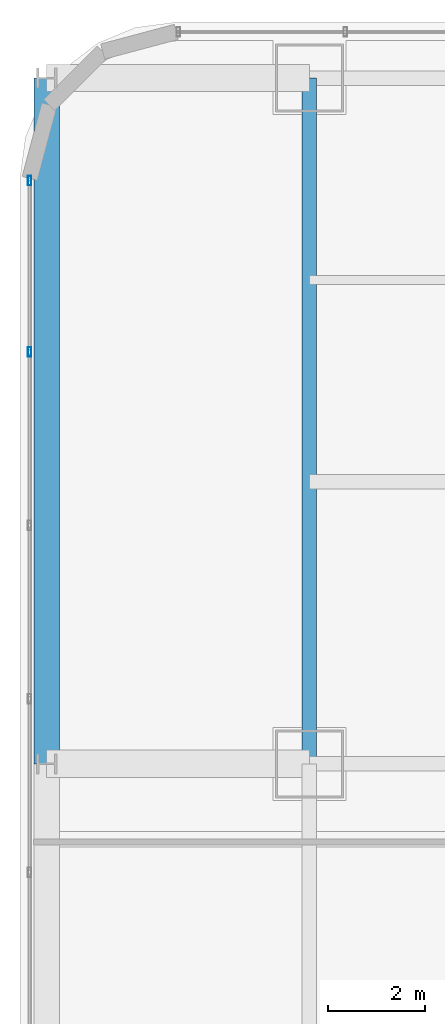
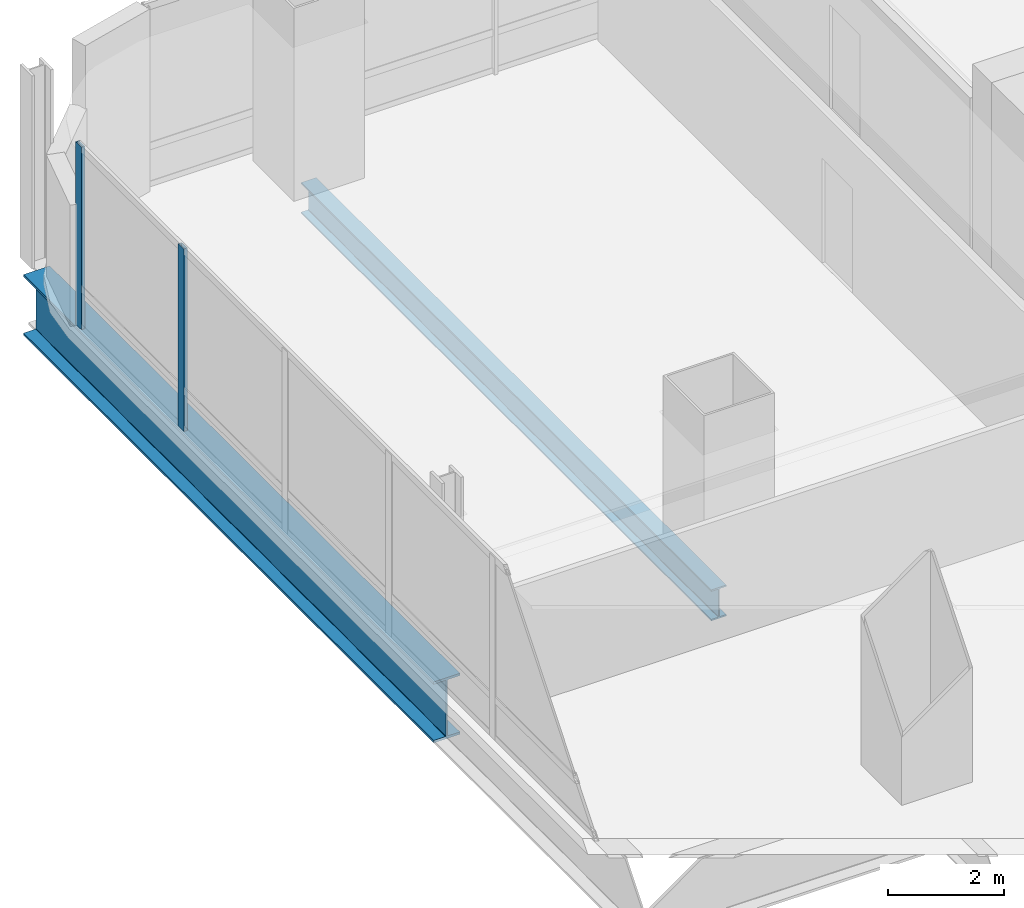
# One storey, part 17 of 38: 2 beams, 2 members, 1 element without a shape of its own.
"""IFC4 building model written with IfcOpenShell, lengths in metres."""

from ifc_helpers import new_model, si_unit, direction, frame, origin, origin_2d, place, context, subcontext, project, spatial, hollow_rectangle, i_section, extrude, material, material_profile, profile_set, type_object, element, aggregate, save


model = new_model("IFC4")

# Units and contexts
model_context = context("Model", 3, precision=1e-05, world=origin(), true_north=direction((0.0, 1.0)))
body_context = subcontext(model_context, "Body", "Model", "MODEL_VIEW")
ifc_project = project(units=[si_unit("LENGTHUNIT", "METRE"), si_unit("AREAUNIT", "SQUARE_METRE"), si_unit("VOLUMEUNIT", "CUBIC_METRE"), si_unit("PLANEANGLEUNIT", "RADIAN"), si_unit("MASSUNIT", "GRAM", prefix="KILO")], contexts=[model_context])

# Site, building, storey
site_placement = place(None, origin())
site = spatial("IfcSite", under=ifc_project, at=site_placement, CompositionType="ELEMENT")
building_placement = place(site_placement, origin())
building = spatial("IfcBuilding", under=site, at=building_placement, Name="Punatoya Terracotta Tower", CompositionType="ELEMENT")
storey_placement = place(building_placement, frame((0.0, 0.0, 188.39990234375)))
storey = spatial("IfcBuildingStorey", under=building, at=storey_placement, Name="L44", CompositionType="ELEMENT", Elevation=188.39990234375)

# Beams
ifc_material_1 = material(Name="Steel S355", Category="steel")
ifc_material_profile_1 = material_profile(ifc_material_1, i_section(OverallWidth=0.300048828125, OverallDepth=0.64990234375, WebThickness=0.01611328125, FlangeThickness=0.031005859375, FilletRadius=0.01806640625, at=origin_2d()))
ifc_profile_set_1 = profile_set([ifc_material_profile_1], Name="Steel S355")
beam_type_1 = type_object("IfcBeamType", Name="BM-PRI-650", PredefinedType="BEAM", material=ifc_profile_set_1)
beam_1_placement = place(storey_placement, frame((-19.10009765625, 3.39990234375, -0.544921875), z_axis=(0.0, 1.0, 0.0), x_axis=(-1.0, 0.0, 0.0)))
element("IfcBeam", 1, at=beam_1_placement, inside=storey, type_object=beam_type_1, Name="BM-L44-RG-W3", PredefinedType="BEAM", context=body_context, shape_type="SweptSolid", body=[
    extrude(i_section(OverallWidth=0.300048828125, OverallDepth=0.64990234375, WebThickness=0.01611328125, FlangeThickness=0.031005859375, FilletRadius=0.01806640625, at=origin_2d()), origin(), (0.0, 0.0, 1.0), 14.10009765625),
])
ifc_material_2 = material(Name="Steel S460", Category="steel")
ifc_material_profile_2 = material_profile(ifc_material_2, i_section(OverallWidth=0.52001953125, OverallDepth=1.280029296875, WebThickness=0.031982421875, FlangeThickness=0.050048828125, FilletRadius=0.01806640625, at=origin_2d()))
ifc_profile_set_2 = profile_set([ifc_material_profile_2], Name="Steel S460")
beam_type_2 = type_object("IfcBeamType", Name="BM-TG-NCK", PredefinedType="BEAM", material=ifc_profile_set_2)
beam_2_placement = place(storey_placement, frame((-24.5, 3.39990234375, -0.85986328125), z_axis=(0.0, 1.0, 0.0), x_axis=(-1.0, 0.0, 0.0)))
element("IfcBeam", 2, at=beam_2_placement, inside=storey, type_object=beam_type_2, Name="BM-L44-PER-W3", PredefinedType="BEAM", context=body_context, shape_type="SweptSolid", body=[
    extrude(i_section(OverallWidth=0.52001953125, OverallDepth=1.280029296875, WebThickness=0.031982421875, FlangeThickness=0.050048828125, FilletRadius=0.01806640625, at=origin_2d()), origin(), (0.0, 0.0, 1.0), 14.10009765625),
])

# Curtain wall, members
ifc_material_3 = material(Name="Aluminium 6063-T6 + Double Low-E Glass", Category="aluminium")
curtain_wall_type = type_object("IfcCurtainWallType", Name="CW-M2", PredefinedType="NOTDEFINED", material=ifc_material_3)
curtain_wall_placement = place(storey_placement, origin())
curtain_wall = element("IfcCurtainWall", 3, at=curtain_wall_placement, inside=storey, type_object=curtain_wall_type, Name="L44 Curtain Wall CW-L44-W13-1", PredefinedType="NOTDEFINED")
ifc_material_4 = material(Name="Aluminium 6063-T6", Category="aluminium")
ifc_material_profile_3 = material_profile(ifc_material_4, hollow_rectangle(XDim=0.072021484375, YDim=0.195068359375, WallThickness=0.00439453125, at=origin_2d()))
ifc_profile_set_3 = profile_set([ifc_material_profile_3], Name="Aluminium 6063-T6")
member_type = type_object("IfcMemberType", Name="CW-MUL-M2", PredefinedType="MULLION", material=ifc_profile_set_3)
member_1_placement = place(storey_placement, frame((-24.85009765625, 15.391845703125, 0.0), z_axis=(0.0, 0.0, 1.0), x_axis=(1.0, 0.0, 0.0)))
member_1 = element("IfcMember", 4, at=member_1_placement, type_object=member_type, Name="CW-L44-W13-1 Mullion 00", PredefinedType="MULLION", context=body_context, shape_type="SweptSolid", body=[
    extrude(hollow_rectangle(XDim=0.072021484375, YDim=0.195068359375, WallThickness=0.00439453125, at=origin_2d()), origin(), (0.0, 0.0, 1.0), 3.830078125),
])
member_2_placement = place(storey_placement, frame((-24.85009765625, 11.869384765625, 0.0), z_axis=(0.0, 0.0, 1.0), x_axis=(1.0, 0.0, 0.0)))
member_2 = element("IfcMember", 5, at=member_2_placement, type_object=member_type, Name="CW-L44-W13-1 Mullion 01", PredefinedType="MULLION", context=body_context, shape_type="SweptSolid", body=[
    extrude(hollow_rectangle(XDim=0.072021484375, YDim=0.195068359375, WallThickness=0.00439453125, at=origin_2d()), origin(), (0.0, 0.0, 1.0), 3.830078125),
])
aggregate(curtain_wall, [member_1, member_2])

save(model, "model.ifc")
